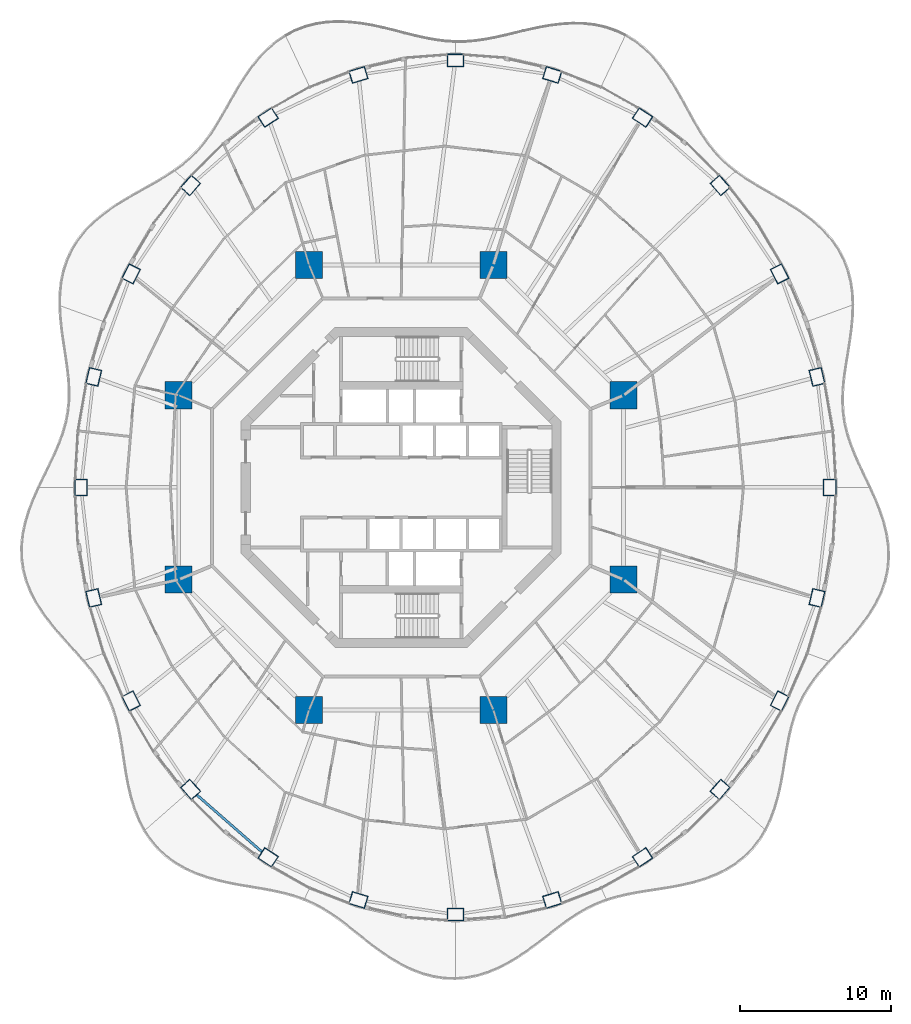
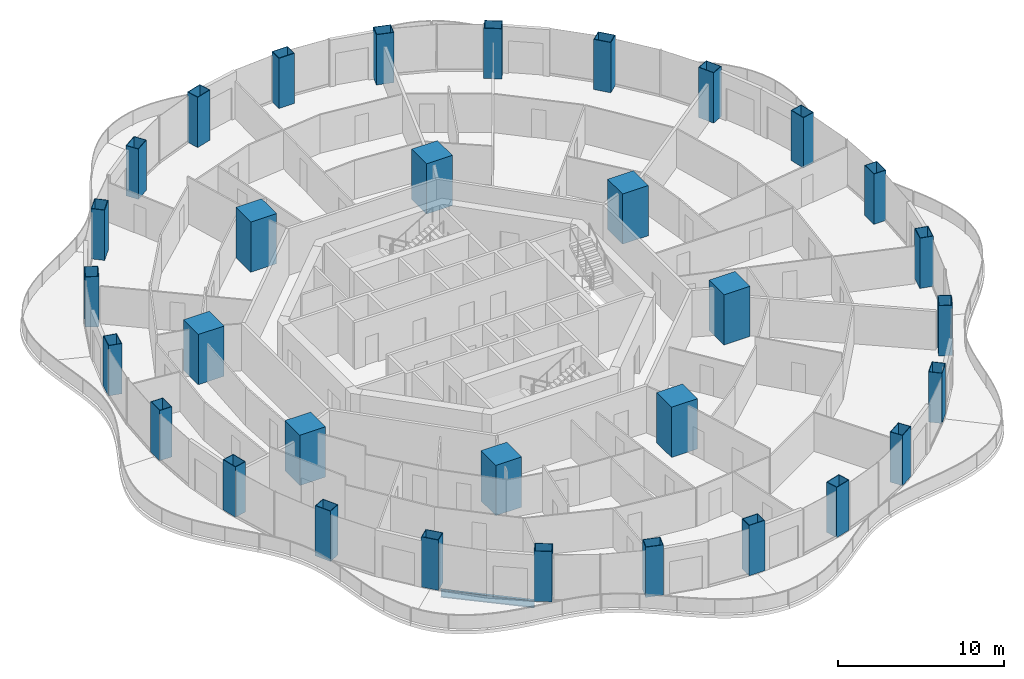
# One storey, part 1 of 19: 32 columns, 1 beam.
"""IFC4 building model written with IfcOpenShell, lengths in metres."""

from ifc_helpers import new_model, si_unit, direction, frame, origin, origin_2d, place, context, subcontext, project, spatial, rectangle, hollow_rectangle, i_section, extrude, material, material_profile, profile_set, type_object, element, save


model = new_model("IFC4")

# Units and contexts
model_context = context("Model", 3, precision=1e-05, world=origin(), true_north=direction((0.0, 1.0)))
body_context = subcontext(model_context, "Body", "Model", "MODEL_VIEW")
ifc_project = project(units=[si_unit("LENGTHUNIT", "METRE"), si_unit("AREAUNIT", "SQUARE_METRE"), si_unit("VOLUMEUNIT", "CUBIC_METRE"), si_unit("PLANEANGLEUNIT", "RADIAN"), si_unit("MASSUNIT", "GRAM", prefix="KILO")], contexts=[model_context])

# Site, building, storey
site_placement = place(None, origin())
site = spatial("IfcSite", under=ifc_project, at=site_placement, CompositionType="ELEMENT")
building_placement = place(site_placement, origin())
building = spatial("IfcBuilding", under=site, at=building_placement, Name="Nagisa Residences", CompositionType="ELEMENT")
storey_placement = place(building_placement, frame((0.0, 0.0, 177.0)))
storey = spatial("IfcBuildingStorey", under=building, at=storey_placement, Name="L44", CompositionType="ELEMENT", Elevation=177.0)

# Columns
ifc_material_1 = material(Name="Concrete C80", Category="concrete")
ifc_material_profile_1 = material_profile(ifc_material_1, rectangle(XDim=1.800048828125, YDim=1.800048828125, at=origin_2d()), Name="C80 1800x1800")
ifc_profile_set_1 = profile_set([ifc_material_profile_1], Name="Concrete C80")
column_type_1 = type_object("IfcColumnType", Name="Inner megacolumn C80 1800x1800", PredefinedType="COLUMN", material=ifc_profile_set_1)
for number, where, z_axis, x_axis, name in (
    (1, (14.781982421875, 6.123046875, 0.0), (0.0, 0.0, 1.0), (1.0, 0.0, 0.0), "col:L44:i1"),
    (2, (6.123046875, 14.781982421875, 0.0), (0.0, 0.0, 1.0), (1.0, 0.0, 0.0), "col:L44:i2"),
    (3, (-6.123046875, 14.781982421875, 0.0), (0.0, 0.0, 1.0), (1.0, 0.0, 0.0), "col:L44:i3"),
    (4, (-14.781982421875, 6.123046875, 0.0), (0.0, 0.0, 1.0), (1.0, 0.0, 0.0), "col:L44:i4"),
    (5, (-14.781982421875, -6.123046875, 0.0), (0.0, 0.0, 1.0), (1.0, 0.0, 0.0), "col:L44:i5"),
    (6, (-6.123046875, -14.781982421875, 0.0), (0.0, 0.0, 1.0), (1.0, 0.0, 0.0), "col:L44:i6"),
    (7, (6.123046875, -14.781982421875, 0.0), (0.0, 0.0, 1.0), (1.0, 0.0, 0.0), "col:L44:i7"),
    (8, (14.781982421875, -6.123046875, 0.0), (0.0, 0.0, 1.0), (1.0, 0.0, 0.0), "col:L44:i8"),
):
    element("IfcColumn", number, at=place(storey_placement, frame(where, z_axis=z_axis, x_axis=x_axis)), inside=storey, type_object=column_type_1, Name=name, PredefinedType="COLUMN", context=body_context, shape_type="SweptSolid", body=[
        extrude(rectangle(XDim=1.800048828125, YDim=1.800048828125, at=origin_2d()), origin(), (0.0, 0.0, 1.0), 3.699951171875),
    ])
ifc_material_2 = material(Name="Steel ASTM A572 Gr 50", Category="steel")
ifc_material_profile_2 = material_profile(ifc_material_2, hollow_rectangle(XDim=1.10009765625, YDim=0.85009765625, WallThickness=0.035888671875, at=origin_2d()), Name="BX 1100x850x36")
ifc_profile_set_2 = profile_set([ifc_material_profile_2], Name="Steel ASTM A572 Gr 50")
column_type_2 = type_object("IfcColumnType", Name="Perimeter column BX 1100x850x36", PredefinedType="COLUMN", material=ifc_profile_set_2)
for number, where, z_axis, x_axis, name in (
    (9, (28.47509765625, 0.0, 0.0), (0.0, 0.0, 1.0), (0.0, 1.0, 0.0), "col:L44:p00"),
    (10, (27.62744140625, 7.343994140625, 0.0), (0.0, 0.0, 1.0), (-0.229202013103, 0.973378876486, 0.0), "col:L44:p01"),
    (11, (25.142333984375, 14.1875, 0.0), (0.0, 0.0, 1.0), (-0.452462697578, 0.891783329795, 0.0), "col:L44:p02"),
    (12, (21.189208984375, 20.064208984375, 0.0), (0.0, 0.0, 1.0), (-0.660114607735, 0.751164898445, 0.0), "col:L44:p03"),
    (13, (16.03759765625, 24.573486328125, 0.0), (0.0, 0.0, 1.0), (-0.835766105673, 0.54908561865, 0.0), "col:L44:p04"),
    (14, (10.0380859375, 27.408203125, 0.0), (0.0, 0.0, 1.0), (-0.956524583408, 0.291651712384, 0.0), "col:L44:p05"),
    (15, (3.60009765625, 28.375, 0.0), (0.0, 0.0, 1.0), (-1.0, 0.0, 0.0), "col:L44:p06"),
    (16, (-2.838134765625, 27.408203125, 0.0), (0.0, 0.0, 1.0), (-0.956524583408, -0.291651712384, 0.0), "col:L44:p07"),
    (17, (-8.83740234375, 24.573486328125, 0.0), (0.0, 0.0, 1.0), (-0.835766105673, -0.54908561865, 0.0), "col:L44:p08"),
    (18, (-13.9892578125, 20.064208984375, 0.0), (0.0, 0.0, 1.0), (-0.660114607735, -0.751164898445, 0.0), "col:L44:p09"),
    (19, (-17.9423828125, 14.1875, 0.0), (0.0, 0.0, 1.0), (-0.452462697578, -0.891783329795, 0.0), "col:L44:p10"),
    (20, (-20.427490234375, 7.343994140625, 0.0), (0.0, 0.0, 1.0), (-0.229202013103, -0.973378876486, 0.0), "col:L44:p11"),
    (21, (-21.27490234375, 0.0, 0.0), (0.0, 0.0, 1.0), (0.0, -1.0, 0.0), "col:L44:p12"),
    (22, (-20.427490234375, -7.343994140625, 0.0), (0.0, 0.0, 1.0), (0.229202013103, -0.973378876486, 0.0), "col:L44:p13"),
    (23, (-17.9423828125, -14.1875, 0.0), (0.0, 0.0, 1.0), (0.452462697578, -0.891783329795, 0.0), "col:L44:p14"),
    (24, (-13.9892578125, -20.064208984375, 0.0), (0.0, 0.0, 1.0), (0.660114607735, -0.751164898445, 0.0), "col:L44:p15"),
    (25, (-8.83740234375, -24.573486328125, 0.0), (0.0, 0.0, 1.0), (0.835766105673, -0.54908561865, 0.0), "col:L44:p16"),
    (26, (-2.838134765625, -27.408203125, 0.0), (0.0, 0.0, 1.0), (0.956524583408, -0.291651712384, 0.0), "col:L44:p17"),
    (27, (3.60009765625, -28.375, 0.0), (0.0, 0.0, 1.0), (1.0, 0.0, 0.0), "col:L44:p18"),
    (28, (10.0380859375, -27.408203125, 0.0), (0.0, 0.0, 1.0), (0.956524583408, 0.291651712384, 0.0), "col:L44:p19"),
    (29, (16.03759765625, -24.573486328125, 0.0), (0.0, 0.0, 1.0), (0.835766105673, 0.54908561865, 0.0), "col:L44:p20"),
    (30, (21.189208984375, -20.064208984375, 0.0), (0.0, 0.0, 1.0), (0.660114607735, 0.751164898445, 0.0), "col:L44:p21"),
    (31, (25.142333984375, -14.1875, 0.0), (0.0, 0.0, 1.0), (0.452462697578, 0.891783329795, 0.0), "col:L44:p22"),
    (32, (27.62744140625, -7.343994140625, 0.0), (0.0, 0.0, 1.0), (0.229202013103, 0.973378876486, 0.0), "col:L44:p23"),
):
    element("IfcColumn", number, at=place(storey_placement, frame(where, z_axis=z_axis, x_axis=x_axis)), inside=storey, type_object=column_type_2, Name=name, PredefinedType="COLUMN", context=body_context, shape_type="SweptSolid", body=[
        extrude(hollow_rectangle(XDim=1.10009765625, YDim=0.85009765625, WallThickness=0.035888671875, at=origin_2d()), origin(), (0.0, 0.0, 1.0), 3.699951171875),
    ])

# Beam
ifc_material_3 = material(Name="Steel ASTM A572 Gr 50", Category="steel")
ifc_material_profile_3 = material_profile(ifc_material_3, i_section(OverallWidth=0.166015625, OverallDepth=0.534912109375, WebThickness=0.01025390625, FlangeThickness=0.0166015625, at=origin_2d()), Name="W530x85")
ifc_profile_set_3 = profile_set([ifc_material_profile_3], Name="Steel ASTM A572 Gr 50")
beam_type = type_object("IfcBeamType", Name="Perimeter ring beam W530x85", PredefinedType="BEAM", material=ifc_profile_set_3)
beam_placement = place(storey_placement, frame((-13.5869140625, -20.416259765625, -0.527587890625), z_axis=(0.752461486776, -0.658636250838, 0.0), x_axis=(0.658636250838, 0.752461486776, 0.0)))
element("IfcBeam", 33, at=beam_placement, inside=storey, type_object=beam_type, Name="beam:L44:pb16", PredefinedType="BEAM", context=body_context, shape_type="SweptSolid", body=[
    extrude(i_section(OverallWidth=0.166015625, OverallDepth=0.534912109375, WebThickness=0.01025390625, FlangeThickness=0.0166015625, at=origin_2d()), origin(), (0.0, 0.0, 1.0), 5.776611328125),
])

save(model, "model.ifc")
